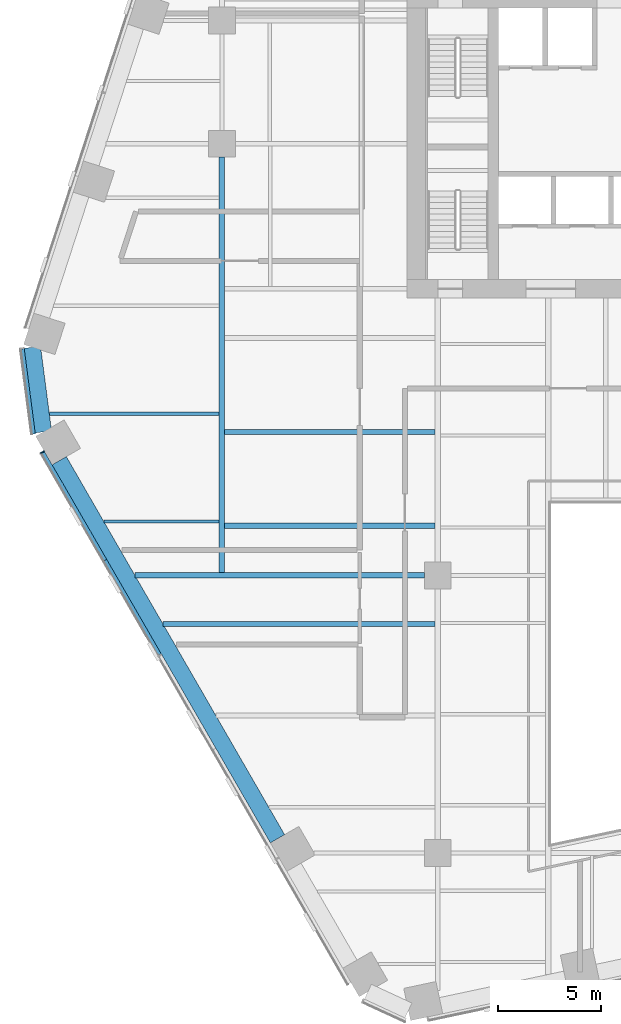
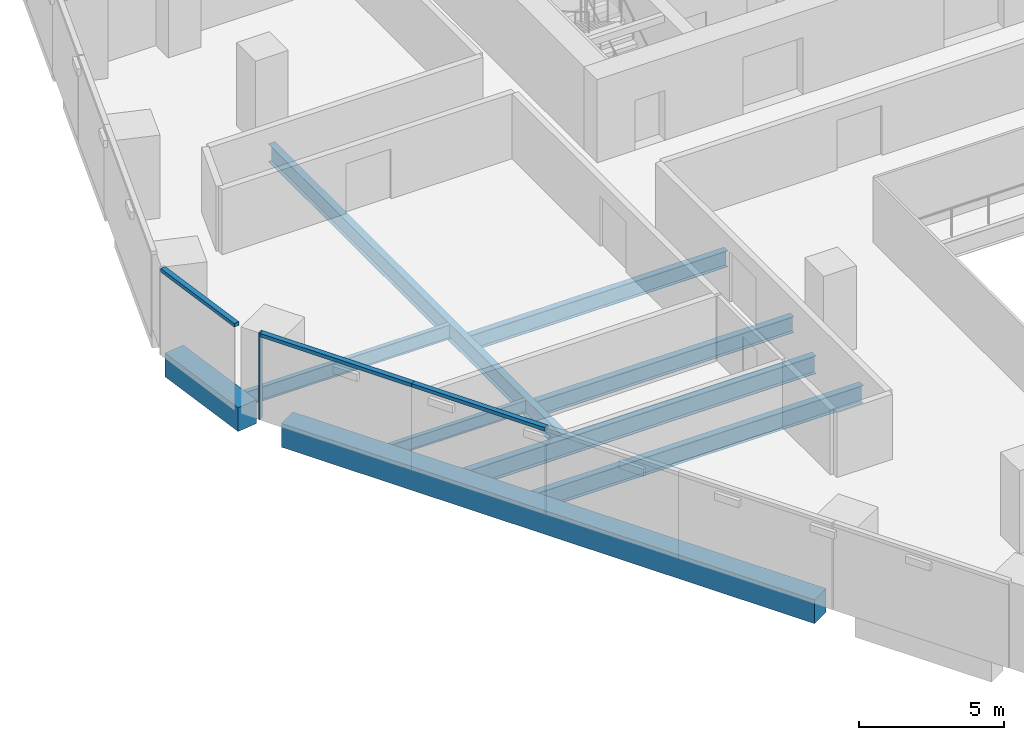
# One storey, part 3 of 21: 9 beams, 4 members, 2 elements without a shape of their own.
"""IFC4 building model written with IfcOpenShell, lengths in metres."""

from ifc_helpers import new_model, si_unit, direction, frame, origin, origin_2d, place, context, subcontext, project, spatial, rectangle, i_section, extrude, material, layer, layer_set, material_profile, profile_set, type_object, element, aggregate, save


model = new_model("IFC4")

# Units and contexts
model_context = context("Model", 3, precision=1e-05, world=origin(), true_north=direction((0.0, 1.0)))
body_context = subcontext(model_context, "Body", "Model", "MODEL_VIEW")
ifc_project = project(units=[si_unit("LENGTHUNIT", "METRE"), si_unit("AREAUNIT", "SQUARE_METRE"), si_unit("VOLUMEUNIT", "CUBIC_METRE"), si_unit("PLANEANGLEUNIT", "RADIAN"), si_unit("MASSUNIT", "GRAM", prefix="KILO")], contexts=[model_context])

# Site, building, storey
site_placement = place(None, origin())
site = spatial("IfcSite", under=ifc_project, at=site_placement, CompositionType="ELEMENT")
building_placement = place(site_placement, origin())
building = spatial("IfcBuilding", under=site, at=building_placement, Name="Isthmus Gate Tower", CompositionType="ELEMENT")
storey_placement = place(building_placement, frame((0.0, 0.0, 109.85009765625)))
storey = spatial("IfcBuildingStorey", under=building, at=storey_placement, Name="L26", CompositionType="ELEMENT", Elevation=109.85009765625)

# Curtain wall, member
ifc_material_1 = material(Name="Aluminium, pale champagne anodised", Category="aluminium")
ifc_layer = layer(ifc_material_1, 0.199951171875)
ifc_layer_set = layer_set([ifc_layer], Name="CW-1 UNITISED CURTAIN WALL 200 DEEP")
curtain_wall_type = type_object("IfcCurtainWallType", Name="CW-1 UNITISED CURTAIN WALL 200 DEEP", PredefinedType="NOTDEFINED", material=ifc_layer_set)
curtain_wall_1_placement = place(storey_placement, origin())
curtain_wall_1 = element("IfcCurtainWall", 1, at=curtain_wall_1_placement, inside=storey, type_object=curtain_wall_type, Name="CW-1 SW L26", PredefinedType="NOTDEFINED")
ifc_material_2 = material(Name="Aluminium, pale champagne anodised", Category="aluminium")
ifc_material_profile_1 = material_profile(ifc_material_2, rectangle(XDim=0.06005859375, YDim=0.199951171875, at=origin_2d()), Name="60x200")
ifc_profile_set_1 = profile_set([ifc_material_profile_1], Name="Aluminium, pale champagne anodised")
member_type_1 = type_object("IfcMemberType", Name="CW-1 MULLION 60 X 200", PredefinedType="MULLION", material=ifc_profile_set_1)
member_1_placement = place(storey_placement, frame((-32.7353515625, -7.500732421875, 0.0), z_axis=(0.0, 0.0, 1.0), x_axis=(0.5, -0.866025403784, 0.0)))
member_1 = element("IfcMember", 2, at=member_1_placement, type_object=member_type_1, Name="CW-1 mullion", PredefinedType="MULLION", context=body_context, shape_type="SweptSolid", body=[
    extrude(rectangle(XDim=0.06005859375, YDim=0.199951171875, at=origin_2d()), origin(), (0.0, 0.0, 1.0), 3.64990234375),
])

curtain_wall_2_placement = place(storey_placement, origin())
curtain_wall_2 = element("IfcCurtainWall", 3, at=curtain_wall_2_placement, inside=storey, type_object=curtain_wall_type, Name="CW-1 NW-SW L26", PredefinedType="NOTDEFINED")
ifc_material_3 = material(Name="Aluminium, pale champagne anodised", Category="aluminium")
ifc_material_profile_2 = material_profile(ifc_material_3, rectangle(XDim=0.199951171875, YDim=0.14990234375, at=origin_2d()), Name="200x150")
ifc_profile_set_2 = profile_set([ifc_material_profile_2], Name="Aluminium, pale champagne anodised")
member_type_2 = type_object("IfcMemberType", Name="CW-1 TRANSOM 200 X 150", PredefinedType="USERDEFINED", material=ifc_profile_set_2)
member_2_placement = place(storey_placement, frame((-33.71923828125, -2.474609375, 3.574951171875), z_axis=(0.129206893318, -0.991617657527, 0.0), x_axis=(0.991617657527, 0.129206893318, 0.0)))
member_2 = element("IfcMember", 4, at=member_2_placement, type_object=member_type_2, Name="CW-1 transom", ObjectType="TRANSOM", PredefinedType="USERDEFINED", context=body_context, shape_type="SweptSolid", body=[
    extrude(rectangle(XDim=0.199951171875, YDim=0.14990234375, at=origin_2d()), origin(), (0.0, 0.0, 1.0), 4.181640625),
])
aggregate(curtain_wall_2, [member_2])

# Member
member_3_placement = place(storey_placement, frame((-32.720458984375, -7.526611328125, 3.574951171875), z_axis=(0.500011280007, -0.866018891171, 0.0), x_axis=(0.866018891171, 0.500011280007, 0.0)))
member_3 = element("IfcMember", 5, at=member_3_placement, type_object=member_type_2, Name="CW-1 transom", ObjectType="TRANSOM", PredefinedType="USERDEFINED", context=body_context, shape_type="SweptSolid", body=[
    extrude(rectangle(XDim=0.199951171875, YDim=0.14990234375, at=origin_2d()), origin(), (0.0, 0.0, 1.0), 6.048583984375),
])

member_4_placement = place(storey_placement, frame((-29.696044921875, -12.764892578125, 3.574951171875), z_axis=(0.499997139945, -0.866027055032, 0.0), x_axis=(0.866027055032, 0.499997139945, 0.0)))
member_4 = element("IfcMember", 6, at=member_4_placement, type_object=member_type_2, Name="CW-1 transom", ObjectType="TRANSOM", PredefinedType="USERDEFINED", context=body_context, shape_type="SweptSolid", body=[
    extrude(rectangle(XDim=0.199951171875, YDim=0.14990234375, at=origin_2d()), origin(), (0.0, 0.0, 1.0), 5.30859375),
])

aggregate(curtain_wall_1, [member_1, member_3, member_4])

# Beams
ifc_material_4 = material(Name="Concrete f'c 70 MPa", Category="concrete")
ifc_material_profile_3 = material_profile(ifc_material_4, rectangle(XDim=0.800048828125, YDim=1.0, at=origin_2d()), Name="RC 800X1000")
ifc_profile_set_3 = profile_set([ifc_material_profile_3], Name="Concrete f'c 70 MPa")
beam_type_1 = type_object("IfcBeamType", Name="RC SPANDREL 800 X 1000", PredefinedType="SPANDREL", material=ifc_profile_set_3)
beam_1_placement = place(storey_placement, frame((-21.300048828125, -26.30712890625, -0.5), z_axis=(-0.499997139945, 0.866027055032, 0.0), x_axis=(-0.866027055032, -0.499997139945, 0.0)))
element("IfcBeam", 7, at=beam_1_placement, inside=storey, type_object=beam_type_1, Name="str-spandrel-L26-16", PredefinedType="SPANDREL", context=body_context, shape_type="SweptSolid", body=[
    extrude(rectangle(XDim=0.800048828125, YDim=1.0, at=origin_2d()), origin(), (0.0, 0.0, 1.0), 21.234375),
])
beam_2_placement = place(storey_placement, frame((-32.6884765625, -6.515380859375, -0.5), z_axis=(-0.129170777359, 0.991622362735, 0.0), x_axis=(-0.991622362735, -0.129170777359, 0.0)))
element("IfcBeam", 8, at=beam_2_placement, inside=storey, type_object=beam_type_1, Name="str-spandrel-L26-17", PredefinedType="SPANDREL", context=body_context, shape_type="SweptSolid", body=[
    extrude(rectangle(XDim=0.800048828125, YDim=1.0, at=origin_2d()), origin(), (0.0, 0.0, 1.0), 4.15234375),
])
ifc_material_5 = material(Name="Structural steel ASTM A992 Gr 50", Category="steel")
ifc_material_profile_4 = material_profile(ifc_material_5, i_section(OverallWidth=0.1650390625, OverallDepth=0.52392578125, WebThickness=0.009521484375, FlangeThickness=0.010986328125, at=origin_2d()), Name="W21X44")
ifc_profile_set_4 = profile_set([ifc_material_profile_4], Name="Structural steel ASTM A992 Gr 50")
beam_type_2 = type_object("IfcBeamType", Name="STEEL FLOOR BEAM W21X44", PredefinedType="JOIST", material=ifc_profile_set_4)
beam_3_placement = place(storey_placement, frame((-29.748046875, -10.875, -0.412109375), z_axis=(1.0, 0.0, 0.0), x_axis=(0.0, 1.0, 0.0)))
element("IfcBeam", 9, at=beam_3_placement, inside=storey, type_object=beam_type_2, Name="str-beam-L26-00-00", PredefinedType="JOIST", context=body_context, shape_type="SweptSolid", body=[
    extrude(i_section(OverallWidth=0.1650390625, OverallDepth=0.52392578125, WebThickness=0.009521484375, FlangeThickness=0.010986328125, at=origin_2d()), origin(), (0.0, 0.0, 1.0), 5.61474609375),
])
ifc_material_6 = material(Name="Structural steel ASTM A992 Gr 50", Category="steel")
ifc_material_profile_5 = material_profile(ifc_material_6, i_section(OverallWidth=0.177734375, OverallDepth=0.60009765625, WebThickness=0.009521484375, FlangeThickness=0.0126953125, at=origin_2d()), Name="W24X55")
ifc_profile_set_5 = profile_set([ifc_material_profile_5], Name="Structural steel ASTM A992 Gr 50")
beam_type_3 = type_object("IfcBeamType", Name="STEEL FLOOR BEAM W24X55", PredefinedType="JOIST", material=ifc_profile_set_5)
beam_4_placement = place(storey_placement, frame((-32.401123046875, -5.625, -0.4501953125), z_axis=(1.0, 0.0, 0.0), x_axis=(0.0, 1.0, 0.0)))
element("IfcBeam", 10, at=beam_4_placement, inside=storey, type_object=beam_type_3, Name="str-beam-L26-00-01", PredefinedType="JOIST", context=body_context, shape_type="SweptSolid", body=[
    extrude(i_section(OverallWidth=0.177734375, OverallDepth=0.60009765625, WebThickness=0.009521484375, FlangeThickness=0.0126953125, at=origin_2d()), origin(), (0.0, 0.0, 1.0), 8.267822265625),
])
ifc_material_7 = material(Name="Structural steel ASTM A992 Gr 50", Category="steel")
ifc_material_profile_6 = material_profile(ifc_material_7, i_section(OverallWidth=0.25390625, OverallDepth=0.679443359375, WebThickness=0.010986328125, FlangeThickness=0.015869140625, at=origin_2d()), Name="W27X84")
ifc_profile_set_6 = profile_set([ifc_material_profile_6], Name="Structural steel ASTM A992 Gr 50")
beam_type_4 = type_object("IfcBeamType", Name="STEEL FLOOR BEAM W27X84", PredefinedType="JOIST", material=ifc_profile_set_6)
for number, where, z_axis, x_axis, name in (
    (11, (-23.86669921875, -11.0830078125, -0.48974609375), (1.0, 0.0, 0.0), (0.0, 1.0, 0.0), "str-beam-L26-08-00"),
    (12, (-23.86669921875, -6.515380859375, -0.48974609375), (1.0, 0.0, 0.0), (0.0, 1.0, 0.0), "str-beam-L26-08-01"),
):
    element("IfcBeam", number, at=place(storey_placement, frame(where, z_axis=z_axis, x_axis=x_axis)), inside=storey, type_object=beam_type_4, Name=name, PredefinedType="JOIST", context=body_context, shape_type="SweptSolid", body=[
        extrude(i_section(OverallWidth=0.25390625, OverallDepth=0.679443359375, WebThickness=0.010986328125, FlangeThickness=0.015869140625, at=origin_2d()), origin(), (0.0, 0.0, 1.0), 10.23486328125),
    ])
ifc_material_8 = material(Name="Structural steel ASTM A992 Gr 50", Category="steel")
ifc_material_profile_7 = material_profile(ifc_material_8, i_section(OverallWidth=0.263427734375, OverallDepth=0.749267578125, WebThickness=0.0126953125, FlangeThickness=0.015869140625, at=origin_2d()), Name="W30X90")
ifc_profile_set_7 = profile_set([ifc_material_profile_7], Name="Structural steel ASTM A992 Gr 50")
beam_type_5 = type_object("IfcBeamType", Name="STEEL FLOOR BEAM W30X90", PredefinedType="JOIST", material=ifc_profile_set_7)
beam_5_placement = place(storey_placement, frame((-26.869140625, -15.861083984375, -0.524658203125), z_axis=(1.0, 0.0, 0.0), x_axis=(0.0, 1.0, 0.0)))
element("IfcBeam", 13, at=beam_5_placement, inside=storey, type_object=beam_type_5, Name="str-beam-L26-06-02", PredefinedType="JOIST", context=body_context, shape_type="SweptSolid", body=[
    extrude(i_section(OverallWidth=0.263427734375, OverallDepth=0.749267578125, WebThickness=0.0126953125, FlangeThickness=0.015869140625, at=origin_2d()), origin(), (0.0, 0.0, 1.0), 13.2373046875),
])
ifc_material_9 = material(Name="Structural steel ASTM A992 Gr 50", Category="steel")
ifc_material_profile_8 = material_profile(ifc_material_9, i_section(OverallWidth=0.2666015625, OverallDepth=0.7587890625, WebThickness=0.014404296875, FlangeThickness=0.01904296875, at=origin_2d()), Name="W30X108")
ifc_profile_set_8 = profile_set([ifc_material_profile_8], Name="Structural steel ASTM A992 Gr 50")
beam_type_6 = type_object("IfcBeamType", Name="STEEL GIRDER W30X108", PredefinedType="BEAM", material=ifc_profile_set_8)
beam_6_placement = place(storey_placement, frame((-28.232421875, -13.5, -0.529541015625), z_axis=(1.0, 0.0, 0.0), x_axis=(0.0, 1.0, 0.0)))
element("IfcBeam", 14, at=beam_6_placement, inside=storey, type_object=beam_type_6, Name="str-girder-L26-05", PredefinedType="BEAM", context=body_context, shape_type="SweptSolid", body=[
    extrude(i_section(OverallWidth=0.2666015625, OverallDepth=0.7587890625, WebThickness=0.014404296875, FlangeThickness=0.01904296875, at=origin_2d()), origin(), (0.0, 0.0, 1.0), 14.08251953125),
])
beam_7_placement = place(storey_placement, frame((-24.0, -13.36669921875, -0.529541015625), z_axis=(0.0, 1.0, 0.0), x_axis=(-1.0, 0.0, 0.0)))
element("IfcBeam", 15, at=beam_7_placement, inside=storey, type_object=beam_type_6, Name="str-girder-L26-21", PredefinedType="BEAM", context=body_context, shape_type="SweptSolid", body=[
    extrude(i_section(OverallWidth=0.2666015625, OverallDepth=0.7587890625, WebThickness=0.014404296875, FlangeThickness=0.01904296875, at=origin_2d()), origin(), (0.0, 0.0, 1.0), 20.216796875),
])

save(model, "model.ifc")
